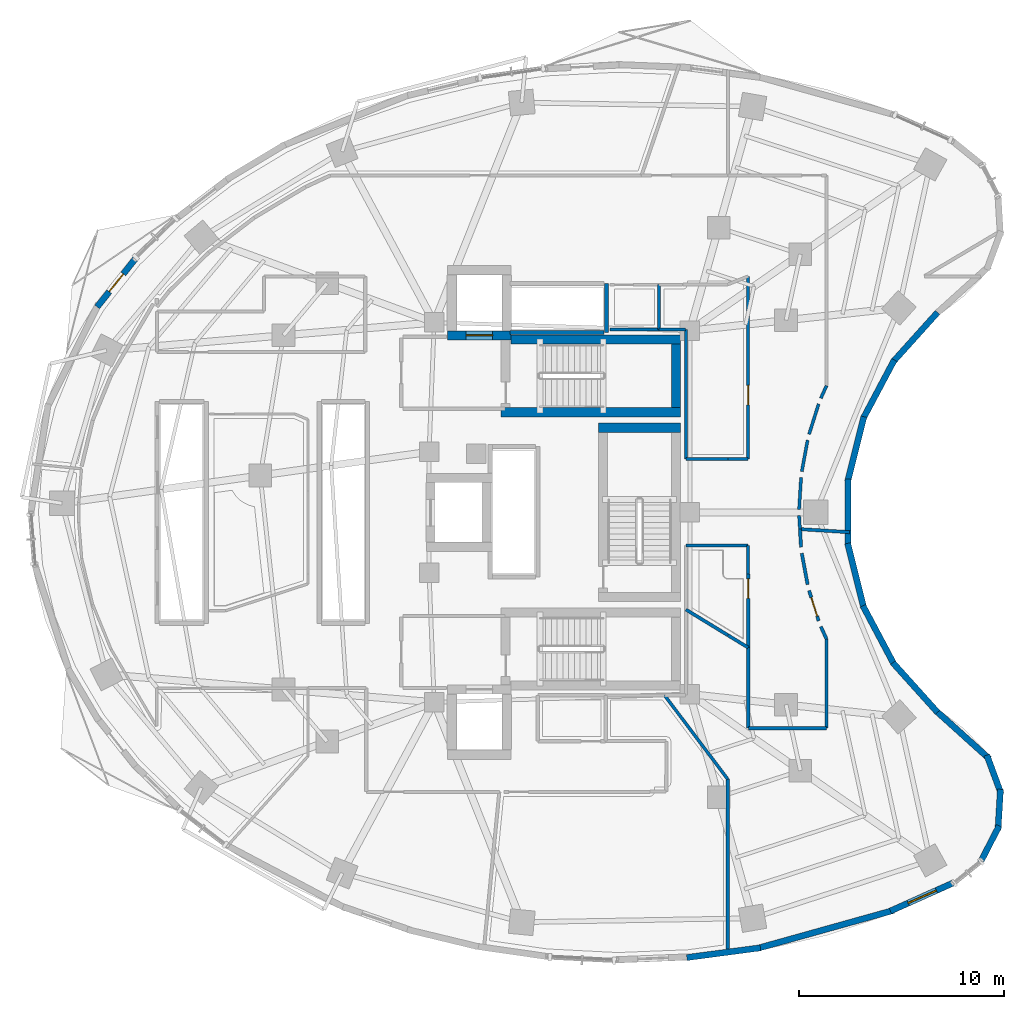
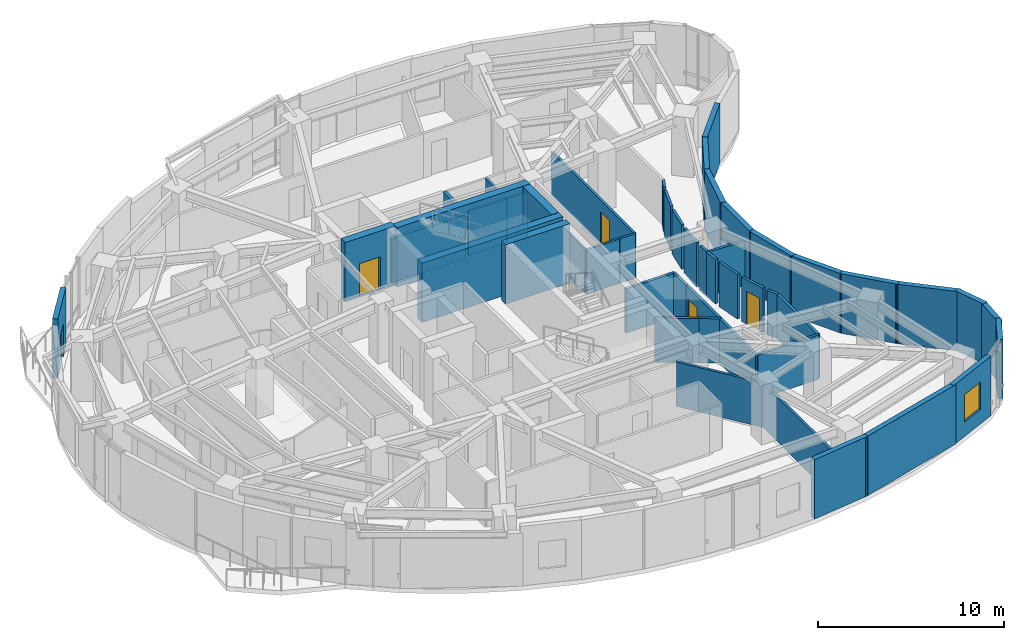
# One storey, part 10 of 15: 49 walls, 5 doors, 1 window, 6 openings.
"""IFC4 building model written with IfcOpenShell, lengths in metres."""

import ifcopenshell
import ifcopenshell.guid

model = None  # the IFC model being written
_history = None  # IfcOwnerHistory: only IFC2X3 demands one
_inside = {}  # id of a spatial element -> (the spatial element, [elements in it])
_under = {}  # id of a project, library or spatial element -> (it, [spatial elements below it])
_declared = {}  # id of a project -> (the project, [libraries it declares])
_typed = {}  # id of a type object -> (the type object, [elements of that type])
_made_of = {}  # id of a material, layer set ... -> (it, [elements and type objects made of it])


def new_model(schema):
    """Start an empty IFC model of exactly this schema.

    Asked for "IFC4X3", IfcOpenShell would pick the latest addendum, in which some entities
    have other attributes; the version numbers below select the first issue.
    IFC2X3 requires an IfcOwnerHistory on every rooted entity: one is made here for all.
    """
    global model, _history
    if schema == "IFC4X3":
        model = ifcopenshell.file(schema_version=(4, 3, 0, 0))
    else:
        model = ifcopenshell.file(schema=schema)
    _inside.clear()
    _under.clear()
    _declared.clear()
    _typed.clear()
    _made_of.clear()
    _history = None
    if model.schema == "IFC2X3":
        org = make("IfcOrganization", Name="unknown")
        user = make(
            "IfcPersonAndOrganization",
            ThePerson=make("IfcPerson", FamilyName="unknown"),
            TheOrganization=org,
        )
        app = make(
            "IfcApplication",
            ApplicationDeveloper=org,
            Version="unknown",
            ApplicationFullName="unknown",
            ApplicationIdentifier="unknown",
        )
        _history = make(
            "IfcOwnerHistory",
            OwningUser=user,
            OwningApplication=app,
            ChangeAction="ADDED",
            CreationDate=0,
        )
    return model


def make(cls, **values):
    """One entity of the class cls with the attributes given. An attribute that is None is left unset."""
    return model.create_entity(
        cls, **{name: value for name, value in values.items() if value is not None}
    )


def rooted(cls, **values):
    """An entity with a GlobalId (a new one), such as an element, a storey or a relation."""
    return make(cls, GlobalId=ifcopenshell.guid.new(), OwnerHistory=_history, **values)


def si_unit(unit_type, name, prefix=None):
    """IfcSIUnit, for example si_unit("LENGTHUNIT", "METRE", prefix="MILLI")."""
    return make("IfcSIUnit", UnitType=unit_type, Prefix=prefix, Name=name)


def assignment(units):
    """IfcUnitAssignment: the units of a project."""
    return None if units is None else make("IfcUnitAssignment", Units=units)


def point(xyz):
    """IfcCartesianPoint."""
    return None if xyz is None else make("IfcCartesianPoint", Coordinates=xyz)


def direction(xyz):
    """IfcDirection."""
    return None if xyz is None else make("IfcDirection", DirectionRatios=xyz)


def frame(location, z_axis=None, x_axis=None):
    """IfcAxis2Placement3D, a coordinate frame: its origin and axes. An axis left out is left unset."""
    return make(
        "IfcAxis2Placement3D",
        Location=point(location),
        Axis=direction(z_axis),
        RefDirection=direction(x_axis),
    )


def frame_2d(location, x_axis=None):
    """IfcAxis2Placement2D, a coordinate frame in the plane: its origin and x axis."""
    return make(
        "IfcAxis2Placement2D", Location=point(location), RefDirection=direction(x_axis)
    )


def origin():
    """The frame at (0, 0, 0) with its axes left unset."""
    return frame((0.0, 0.0, 0.0))


def place(relative_to, where):
    """IfcLocalPlacement: puts the frame where relative to a parent placement (None: the world)."""
    return make(
        "IfcLocalPlacement", PlacementRelTo=relative_to, RelativePlacement=where
    )


def context(
    kind, dimensions, precision=None, world=None, true_north=None, identifier=None
):
    """IfcGeometricRepresentationContext, for example the 3D "Model" context."""
    return make(
        "IfcGeometricRepresentationContext",
        ContextIdentifier=identifier,
        ContextType=kind,
        CoordinateSpaceDimension=dimensions,
        Precision=precision,
        WorldCoordinateSystem=world,
        TrueNorth=true_north,
    )


def subcontext(parent, identifier, kind, view, scale=None):
    """IfcGeometricRepresentationSubContext, for example "Body" below "Model"."""
    return make(
        "IfcGeometricRepresentationSubContext",
        ContextIdentifier=identifier,
        ContextType=kind,
        ParentContext=parent,
        TargetScale=scale,
        TargetView=view,
    )


def project(units=None, contexts=None):
    """IfcProject with its units and contexts."""
    return rooted(
        "IfcProject",
        Name="project",
        RepresentationContexts=contexts,
        UnitsInContext=assignment(units),
    )


def spatial(cls, under=None, at=None, **own):
    """A site, building, storey or space (cls), placed at a placement, below another one or the project."""
    s = rooted(cls, ObjectPlacement=at, **own)
    if under is not None:
        _under.setdefault(under.id(), (under, []))[1].append(s)
    return s


def profile(cls, at=None, kind="AREA", **sizes):
    """A parametric profile (cls). Its sizes go by their IFC names, for example OverallWidth=200.0."""
    return make(cls, ProfileType=kind, Position=at, **sizes)


def rectangle(**sizes):
    """IfcRectangleProfileDef."""
    return profile("IfcRectangleProfileDef", **sizes)


def extrude(swept, where, along, depth):
    """IfcExtrudedAreaSolid: the profile swept, set in the frame where, extruded along a direction by depth."""
    return make(
        "IfcExtrudedAreaSolid",
        SweptArea=swept,
        Position=where,
        ExtrudedDirection=direction(along),
        Depth=depth,
    )


def shape(context_of_items, identifier, shape_type, items):
    """IfcShapeRepresentation: the items that make up one representation, for example the "Body"."""
    return make(
        "IfcShapeRepresentation",
        ContextOfItems=context_of_items,
        RepresentationIdentifier=identifier,
        RepresentationType=shape_type,
        Items=items,
    )


def material(Name=None, Category=None):
    """IfcMaterial."""
    return make("IfcMaterial", Name=Name, Category=Category)


def layer(
    of_material, thickness, ventilated=None, Name=None, Category=None, Priority=None
):
    """IfcMaterialLayer: one layer of a wall or slab, of a material (None: an air gap)."""
    return make(
        "IfcMaterialLayer",
        Material=of_material,
        LayerThickness=thickness,
        IsVentilated=ventilated,
        Name=Name,
        Category=Category,
        Priority=Priority,
    )


def layer_set(layers, Name=None):
    """IfcMaterialLayerSet."""
    return make("IfcMaterialLayerSet", MaterialLayers=layers, LayerSetName=Name)


def made_of(thing, what):
    """Note that an element or type object is made of a material, layer set ...; save() writes the relation."""
    if what is not None:
        _made_of.setdefault(what.id(), (what, []))[1].append(thing)
    return thing


def type_object(cls, material=None, **own):
    """A type object (cls), such as IfcWallType, which elements share."""
    return made_of(rooted(cls, **own), material)


def element(
    cls,
    number,
    at=None,
    inside=None,
    cuts=None,
    type_object=None,
    material=None,
    context=None,
    identifier="Body",
    shape_type=None,
    held_by="IfcProductDefinitionShape",
    body=None,
    shapes=None,
    **own,
):
    """One element of the class cls, such as IfcWall. Its Tag is "e" and its number.

    at: its placement. inside: the storey or other place that contains it. cuts: it is an
    opening in that element (IfcRelVoidsElement). A single representation is given by context,
    identifier, shape_type and body (its items); several are given by shapes. held_by: the class
    of the entity that holds the representations. save() writes the other relations.
    """
    e = rooted(cls, Tag="e%d" % number, ObjectPlacement=at, **own)
    if body is not None:
        shapes = [shape(context, identifier, shape_type, body)]
    if shapes is not None:
        e.Representation = make(held_by, Representations=shapes)
    if inside is not None:
        _inside.setdefault(inside.id(), (inside, []))[1].append(e)
    if cuts is not None:
        rooted(
            "IfcRelVoidsElement", RelatingBuildingElement=cuts, RelatedOpeningElement=e
        )
    if type_object is not None:
        _typed.setdefault(type_object.id(), (type_object, []))[1].append(e)
    return made_of(e, material)


def fill(opening, filler):
    """IfcRelFillsElement: the door or window that sits in an opening."""
    return rooted(
        "IfcRelFillsElement",
        RelatingOpeningElement=opening,
        RelatedBuildingElement=filler,
    )


def aggregate(whole, parts):
    """IfcRelAggregates: a whole, such as a stair, and the parts it consists of."""
    return rooted("IfcRelAggregates", RelatingObject=whole, RelatedObjects=parts)


def save(model, path):
    """Write the relations noted so far, then the file.

    IfcRelAggregates (storeys below a building ...), IfcRelContainedInSpatialStructure (elements
    in a storey), IfcRelDefinesByType, IfcRelAssociatesMaterial and IfcRelDeclares: one each for
    every whole, place, type object, material and project.
    """
    for whole, parts in _under.values():
        aggregate(whole, parts)
    for where, things in _inside.values():
        rooted(
            "IfcRelContainedInSpatialStructure",
            RelatedElements=things,
            RelatingStructure=where,
        )
    for kind, things in _typed.values():
        rooted("IfcRelDefinesByType", RelatedObjects=things, RelatingType=kind)
    for what, things in _made_of.values():
        rooted("IfcRelAssociatesMaterial", RelatedObjects=things, RelatingMaterial=what)
    for by, libraries in _declared.values():
        rooted("IfcRelDeclares", RelatingContext=by, RelatedDefinitions=libraries)
    model.write(path)


model = new_model("IFC4")

# Units and contexts
model_context = context("Model", 3, precision=1e-05, world=origin(), true_north=direction((0.0, 1.0)))
body_context = subcontext(model_context, "Body", "Model", "MODEL_VIEW")
ifc_project = project(units=[si_unit("LENGTHUNIT", "METRE"), si_unit("AREAUNIT", "SQUARE_METRE"), si_unit("VOLUMEUNIT", "CUBIC_METRE"), si_unit("PLANEANGLEUNIT", "RADIAN"), si_unit("MASSUNIT", "GRAM", prefix="KILO")], contexts=[model_context])

# Site, building, storey
site_placement = place(None, origin())
site = spatial("IfcSite", under=ifc_project, at=site_placement, CompositionType="ELEMENT")
building_placement = place(site_placement, origin())
building = spatial("IfcBuilding", under=site, at=building_placement, Name="Korentha Bioscience Tower", CompositionType="ELEMENT")
storey_placement = place(building_placement, frame((0.0, 0.0, 98.39990234375)))
storey = spatial("IfcBuildingStorey", under=building, at=storey_placement, Name="L22", CompositionType="ELEMENT", Elevation=98.39990234375)

# Walls
ifc_material_1 = material(Name="Double-Stud Acoustic Gypsum", Category="gypsum")
ifc_layer_1 = layer(ifc_material_1, 0.14990234375, Name="Double-Stud Acoustic Gypsum")
ifc_layer_set_1 = layer_set([ifc_layer_1], Name="Double-Stud Acoustic Gypsum (IW-L150)")
wall_type_1 = type_object("IfcWallType", Name="Acoustic Laboratory Partition Wall 150", PredefinedType="PARTITIONING", material=ifc_layer_set_1)
wall_1_placement = place(storey_placement, frame((36.3193359375, 18.090087890625, 0.0), z_axis=(0.0, 0.0, 1.0), x_axis=(0.601792892962, -0.798652185861, 0.0)))
element("IfcWall", 1, at=wall_1_placement, inside=storey, type_object=wall_type_1, Name="L22 Interior Partition 037", PredefinedType="PARTITIONING", context=body_context, shape_type="SweptSolid", body=[
    extrude(rectangle(XDim=5.11572265625, YDim=0.14990234375, at=frame_2d((2.557861328125, 0.0))), origin(), (0.0, 0.0, 1.0), 2.91015625),
])
wall_2_placement = place(storey_placement, frame((39.39794921875, 14.00439453125, 0.0), z_axis=(0.0, 0.0, 1.0), x_axis=(0.0, -1.0, 0.0)))
element("IfcWall", 2, at=wall_2_placement, inside=storey, type_object=wall_type_1, Name="L22 Interior Partition 038", PredefinedType="PARTITIONING", context=body_context, shape_type="SweptSolid", body=[
    extrude(rectangle(XDim=8.540283203125, YDim=0.14990234375, at=frame_2d((4.27001953125, 0.0))), origin(), (0.0, 0.0, 1.0), 2.91015625),
])
wall_3_placement = place(storey_placement, frame((42.912841796875, 26.194091796875, 0.0), z_axis=(0.0, 0.0, 1.0), x_axis=(-0.061177910387, 0.998126877346, 0.0)))
element("IfcWall", 3, at=wall_3_placement, inside=storey, type_object=wall_type_1, Name="L22 Interior Partition 056", PredefinedType="PARTITIONING", context=body_context, shape_type="SweptSolid", body=[
    extrude(rectangle(XDim=0.658447265625, YDim=0.14990234375, at=frame_2d((0.3291015625, 0.0))), origin(), (0.0, 0.0, 1.0), 2.91015625),
])
wall_4_placement = place(storey_placement, frame((42.87255859375, 27.148681640625, 0.0), z_axis=(0.0, 0.0, 1.0), x_axis=(0.061103659378, 0.99813142562, 0.0)))
element("IfcWall", 4, at=wall_4_placement, inside=storey, type_object=wall_type_1, Name="L22 Interior Partition 057", PredefinedType="PARTITIONING", context=body_context, shape_type="SweptSolid", body=[
    extrude(rectangle(XDim=1.55029296875, YDim=0.14990234375, at=frame_2d((0.775146484375, 0.0))), origin(), (0.0, 0.0, 1.0), 2.91015625),
])
wall_5_placement = place(storey_placement, frame((43.00341796875, 28.99072265625, 0.0), z_axis=(0.0, 0.0, 1.0), x_axis=(0.182168192784, 0.983267384559, 0.0)))
element("IfcWall", 5, at=wall_5_placement, inside=storey, type_object=wall_type_1, Name="L22 Interior Partition 058", PredefinedType="PARTITIONING", context=body_context, shape_type="SweptSolid", body=[
    extrude(rectangle(XDim=1.550537109375, YDim=0.14990234375, at=frame_2d((0.775390625, 0.0))), origin(), (0.0, 0.0, 1.0), 2.91015625),
])
wall_6_placement = place(storey_placement, frame((43.35791015625, 30.803466796875, 0.0), z_axis=(0.0, 0.0, 1.0), x_axis=(0.300641414783, 0.953737248783, 0.0)))
element("IfcWall", 6, at=wall_6_placement, inside=storey, type_object=wall_type_1, Name="L22 Interior Partition 059", PredefinedType="PARTITIONING", context=body_context, shape_type="SweptSolid", body=[
    extrude(rectangle(XDim=1.55029296875, YDim=0.14990234375, at=frame_2d((0.775146484375, 0.0))), origin(), (0.0, 0.0, 1.0), 2.91015625),
])
wall_7_placement = place(storey_placement, frame((43.930419921875, 32.55908203125, 0.0), z_axis=(0.0, 0.0, 1.0), x_axis=(0.414377467152, 0.910105111905, 0.0)))
element("IfcWall", 7, at=wall_7_placement, inside=storey, type_object=wall_type_1, Name="L22 Interior Partition 060", PredefinedType="PARTITIONING", context=body_context, shape_type="SweptSolid", body=[
    extrude(rectangle(XDim=0.67236328125, YDim=0.14990234375, at=frame_2d((0.336181640625, 0.0))), origin(), (0.0, 0.0, 1.0), 2.91015625),
])

# Wall, opening, door
ifc_material_2 = material(Name="Insulated Aluminium Honeycomb Panel", Category="aluminium")
ifc_layer_2 = layer(ifc_material_2, 0.139892578125, Name="Insulated Aluminium Honeycomb Panel")
ifc_layer_set_2 = layer_set([ifc_layer_2], Name="Insulated Aluminium Honeycomb Panel (IW-F60)")
wall_type_2 = type_object("IfcWallType", Name="Cleanroom Flush Metal Panel Partition 140", PredefinedType="PARTITIONING", material=ifc_layer_set_2)
wall_8_placement = place(storey_placement, frame((40.389892578125, 38.498046875, 0.0), z_axis=(0.0, 0.0, 1.0), x_axis=(0.0, -1.0, 0.0)))
wall_8 = element("IfcWall", 8, at=wall_8_placement, inside=storey, type_object=wall_type_2, Name="L22 Vaccine Formulation Cleanroom 07 Entrance Wall", PredefinedType="PARTITIONING", context=body_context, shape_type="SweptSolid", body=[
    extrude(rectangle(XDim=8.89599609375, YDim=0.139892578125, at=frame_2d((4.447998046875, 0.0))), origin(), (0.0, 0.0, 1.0), 2.91015625),
])
opening_1_placement = place(wall_8_placement, frame((5.3125, 0.0, 0.0)))
opening_1 = element("IfcOpeningElement", 9, at=opening_1_placement, cuts=wall_8, Name="Opening ID-10L", PredefinedType="OPENING", context=body_context, shape_type="SweptSolid", body=[
    extrude(rectangle(XDim=0.949951171875, YDim=2.14990234375, at=frame_2d((0.47509765625, 1.074951171875))), frame((0.0, 0.0849609375, 0.0), z_axis=(0.0, -1.0, 0.0), x_axis=(1.0, 0.0, 0.0)), (0.0, 0.0, 1.0), 0.169677734375),
])
ifc_material_3 = material(Name="Phenolic Laminate Timber Core", Category="wood")
door_type_1 = type_object("IfcDoorType", Name="Laboratory Single Leaf Door 950x2150 Left", OperationType="SINGLE_SWING_LEFT", PredefinedType="DOOR", material=ifc_material_3)
door_1_placement = place(opening_1_placement, origin())
door_1 = element("IfcDoor", 10, at=door_1_placement, inside=storey, type_object=door_type_1, Name="L22 Vaccine Formulation Cleanroom 07 Door", OperationType="SINGLE_SWING_LEFT", OverallHeight=2.14990234375, OverallWidth=0.949951171875, PredefinedType="DOOR", context=body_context, shape_type="SweptSolid", body=[
    extrude(rectangle(XDim=0.949951171875, YDim=2.14990234375, at=frame_2d((0.47509765625, 1.074951171875))), frame((0.0, 0.02490234375, 0.0), z_axis=(0.0, -1.0, 0.0), x_axis=(1.0, 0.0, 0.0)), (0.0, 0.0, 1.0), 0.050048828125),
])
fill(opening_1, door_1)

# Walls
wall_9_placement = place(storey_placement, frame((40.389892578125, 29.60205078125, 0.0), z_axis=(0.0, 0.0, 1.0), x_axis=(-1.0, 0.0, 0.0)))
element("IfcWall", 11, at=wall_9_placement, inside=storey, type_object=wall_type_2, Name="L22 Interior Partition 064", PredefinedType="PARTITIONING", context=body_context, shape_type="SweptSolid", body=[
    extrude(rectangle(XDim=0.98779296875, YDim=0.139892578125, at=frame_2d((0.493896484375, 0.0))), origin(), (0.0, 0.0, 1.0), 2.91015625),
])
wall_10_placement = place(storey_placement, frame((39.39794921875, 29.60205078125, 0.0), z_axis=(0.0, 0.0, 1.0), x_axis=(-1.0, 0.0, 0.0)))
element("IfcWall", 12, at=wall_10_placement, inside=storey, type_object=wall_type_2, Name="L22 Interior Partition 065", PredefinedType="PARTITIONING", context=body_context, shape_type="SweptSolid", body=[
    extrude(rectangle(XDim=2.037841796875, YDim=0.139892578125, at=frame_2d((1.01904296875, 0.0))), origin(), (0.0, 0.0, 1.0), 2.91015625),
])
wall_11_placement = place(storey_placement, frame((37.360107421875, 29.60205078125, 0.0), z_axis=(0.0, 0.0, 1.0), x_axis=(0.0, 1.0, 0.0)))
element("IfcWall", 13, at=wall_11_placement, inside=storey, type_object=wall_type_2, Name="L22 Interior Partition 066", PredefinedType="PARTITIONING", context=body_context, shape_type="SweptSolid", body=[
    extrude(rectangle(XDim=6.2978515625, YDim=0.139892578125, at=frame_2d((3.14892578125, 0.0))), origin(), (0.0, 0.0, 1.0), 2.91015625),
])
wall_12_placement = place(storey_placement, frame((37.35009765625, 35.909912109375, 0.0), z_axis=(0.0, 0.0, 1.0), x_axis=(-1.0, 0.0, 0.0)))
element("IfcWall", 14, at=wall_12_placement, inside=storey, type_object=wall_type_2, Name="L22 Interior Partition 067", PredefinedType="PARTITIONING", context=body_context, shape_type="SweptSolid", body=[
    extrude(rectangle(XDim=1.2900390625, YDim=0.139892578125, at=frame_2d((0.64501953125, 0.0))), origin(), (0.0, 0.0, 1.0), 2.91015625),
])

# Wall, opening, door
ifc_material_4 = material(Name="Gypsum-Clad Steel Stud", Category="steel")
ifc_layer_3 = layer(ifc_material_4, 0.159912109375, Name="Gypsum-Clad Steel Stud")
ifc_layer_set_3 = layer_set([ifc_layer_3], Name="Gypsum-Clad Steel Stud (IW-C160)")
wall_type_3 = type_object("IfcWallType", Name="Fire-Rated Corridor Partition Wall 160", PredefinedType="PARTITIONING", material=ifc_layer_set_3)
wall_13_placement = place(storey_placement, frame((43.823974609375, 21.718017578125, 0.0), z_axis=(0.0, 0.0, 1.0), x_axis=(-0.300641414783, 0.953737248783, 0.0)))
wall_13 = element("IfcWall", 15, at=wall_13_placement, inside=storey, type_object=wall_type_3, Name="L22 Biospecimen Archive Store 04 Entrance Wall", PredefinedType="PARTITIONING", context=body_context, shape_type="SweptSolid", body=[
    extrude(rectangle(XDim=1.55029296875, YDim=0.159912109375, at=frame_2d((0.775146484375, 0.0))), origin(), (0.0, 0.0, 1.0), 2.91015625),
])
opening_2_placement = place(wall_13_placement, frame((0.239990234375, 0.0, 0.0)))
opening_2 = element("IfcOpeningElement", 16, at=opening_2_placement, cuts=wall_13, Name="Opening ID-10R", PredefinedType="OPENING", context=body_context, shape_type="SweptSolid", body=[
    extrude(rectangle(XDim=0.949951171875, YDim=2.14990234375, at=frame_2d((0.47509765625, 1.074951171875))), frame((0.0, 0.0947265625, 0.0), z_axis=(0.0, -1.0, 0.0), x_axis=(1.0, 0.0, 0.0)), (0.0, 0.0, 1.0), 0.189697265625),
])
door_type_2 = type_object("IfcDoorType", Name="Laboratory Single Leaf Door 950x2150 Right", OperationType="SINGLE_SWING_RIGHT", PredefinedType="DOOR", material=ifc_material_3)
door_2_placement = place(opening_2_placement, origin())
door_2 = element("IfcDoor", 17, at=door_2_placement, inside=storey, type_object=door_type_2, Name="L22 Biospecimen Archive Store 04 Door", OperationType="SINGLE_SWING_RIGHT", OverallHeight=2.14990234375, OverallWidth=0.949951171875, PredefinedType="DOOR", context=body_context, shape_type="SweptSolid", body=[
    extrude(rectangle(XDim=0.949951171875, YDim=2.14990234375, at=frame_2d((0.47509765625, 1.074951171875))), frame((0.0, 0.02490234375, 0.0), z_axis=(0.0, -1.0, 0.0), x_axis=(1.0, 0.0, 0.0)), (0.0, 0.0, 1.0), 0.050048828125),
])
fill(opening_2, door_2)

wall_14_placement = place(storey_placement, frame((40.389892578125, 23.998046875, 0.0), z_axis=(0.0, 0.0, 1.0), x_axis=(0.0, -1.0, 0.0)))
wall_14 = element("IfcWall", 18, at=wall_14_placement, inside=storey, type_object=wall_type_3, Name="L22 Reference Archive Vault 05 Entrance Wall", PredefinedType="PARTITIONING", context=body_context, shape_type="SweptSolid", body=[
    extrude(rectangle(XDim=3.5703125, YDim=0.159912109375, at=frame_2d((1.78515625, 0.0))), origin(), (0.0, 0.0, 1.0), 2.91015625),
])
opening_3_placement = place(wall_14_placement, frame((0.239990234375, 0.0, 0.0)))
opening_3 = element("IfcOpeningElement", 19, at=opening_3_placement, cuts=wall_14, Name="Opening ID-10L", PredefinedType="OPENING", context=body_context, shape_type="SweptSolid", body=[
    extrude(rectangle(XDim=0.949951171875, YDim=2.14990234375, at=frame_2d((0.47509765625, 1.074951171875))), frame((0.0, 0.0947265625, 0.0), z_axis=(0.0, -1.0, 0.0), x_axis=(1.0, 0.0, 0.0)), (0.0, 0.0, 1.0), 0.189697265625),
])
door_3_placement = place(opening_3_placement, origin())
door_3 = element("IfcDoor", 20, at=door_3_placement, inside=storey, type_object=door_type_1, Name="L22 Reference Archive Vault 05 Door", OperationType="SINGLE_SWING_LEFT", OverallHeight=2.14990234375, OverallWidth=0.949951171875, PredefinedType="DOOR", context=body_context, shape_type="SweptSolid", body=[
    extrude(rectangle(XDim=0.949951171875, YDim=2.14990234375, at=frame_2d((0.47509765625, 1.074951171875))), frame((0.0, 0.02490234375, 0.0), z_axis=(0.0, -1.0, 0.0), x_axis=(1.0, 0.0, 0.0)), (0.0, 0.0, 1.0), 0.050048828125),
])
fill(opening_3, door_3)

# Walls
wall_15_placement = place(storey_placement, frame((39.402099609375, 21.01904296875, 0.0), z_axis=(0.0, 0.0, 1.0), x_axis=(0.853521615148, -0.52105743683, 0.0)))
element("IfcWall", 21, at=wall_15_placement, inside=storey, type_object=wall_type_3, Name="L22 Interior Partition 039", PredefinedType="PARTITIONING", context=body_context, shape_type="SweptSolid", body=[
    extrude(rectangle(XDim=1.1572265625, YDim=0.159912109375, at=frame_2d((0.57861328125, 0.0))), origin(), (0.0, 0.0, 1.0), 2.91015625),
])
wall_16_placement = place(storey_placement, frame((40.389892578125, 20.416015625, 0.0), z_axis=(0.0, 0.0, 1.0), x_axis=(0.0, -1.0, 0.0)))
element("IfcWall", 22, at=wall_16_placement, inside=storey, type_object=wall_type_3, Name="L22 Interior Partition 040", PredefinedType="PARTITIONING", context=body_context, shape_type="SweptSolid", body=[
    extrude(rectangle(XDim=3.916015625, YDim=0.159912109375, at=frame_2d((1.9580078125, 0.0))), origin(), (0.0, 0.0, 1.0), 2.91015625),
])
wall_17_placement = place(storey_placement, frame((40.39990234375, 16.489990234375, 0.0), z_axis=(0.0, 0.0, 1.0), x_axis=(1.0, 0.0, 0.0)))
element("IfcWall", 23, at=wall_17_placement, inside=storey, type_object=wall_type_3, Name="L22 Interior Partition 041", PredefinedType="PARTITIONING", context=body_context, shape_type="SweptSolid", body=[
    extrude(rectangle(XDim=3.800048828125, YDim=0.159912109375, at=frame_2d((1.89990234375, 0.0))), origin(), (0.0, 0.0, 1.0), 2.91015625),
])
wall_18_placement = place(storey_placement, frame((44.2099609375, 16.5, 0.0), z_axis=(0.0, 0.0, 1.0), x_axis=(0.0, 1.0, 0.0)))
element("IfcWall", 24, at=wall_18_placement, inside=storey, type_object=wall_type_3, Name="L22 Interior Partition 042", PredefinedType="PARTITIONING", context=body_context, shape_type="SweptSolid", body=[
    extrude(rectangle(XDim=4.324951171875, YDim=0.159912109375, at=frame_2d((2.16259765625, 0.0))), origin(), (0.0, 0.0, 1.0), 2.91015625),
])
wall_19_placement = place(storey_placement, frame((44.208984375, 20.8291015625, 0.0), z_axis=(0.0, 0.0, 1.0), x_axis=(-0.414377467152, 0.910105111905, 0.0)))
element("IfcWall", 25, at=wall_19_placement, inside=storey, type_object=wall_type_3, Name="L22 Interior Partition 043", PredefinedType="PARTITIONING", context=body_context, shape_type="SweptSolid", body=[
    extrude(rectangle(XDim=0.67236328125, YDim=0.159912109375, at=frame_2d((0.336181640625, 0.0))), origin(), (0.0, 0.0, 1.0), 2.91015625),
])
wall_20_placement = place(storey_placement, frame((43.285888671875, 23.484619140625, 0.0), z_axis=(0.0, 0.0, 1.0), x_axis=(-0.182168192784, 0.983267384559, 0.0)))
element("IfcWall", 26, at=wall_20_placement, inside=storey, type_object=wall_type_3, Name="L22 Interior Partition 044", PredefinedType="PARTITIONING", context=body_context, shape_type="SweptSolid", body=[
    extrude(rectangle(XDim=1.550537109375, YDim=0.159912109375, at=frame_2d((0.775390625, 0.0))), origin(), (0.0, 0.0, 1.0), 2.91015625),
])
wall_21_placement = place(storey_placement, frame((42.96728515625, 25.303955078125, 0.0), z_axis=(0.0, 0.0, 1.0), x_axis=(-0.061188874166, 0.998126205286, 0.0)))
element("IfcWall", 27, at=wall_21_placement, inside=storey, type_object=wall_type_3, Name="L22 Interior Partition 045", PredefinedType="PARTITIONING", context=body_context, shape_type="SweptSolid", body=[
    extrude(rectangle(XDim=0.8818359375, YDim=0.159912109375, at=frame_2d((0.44091796875, 0.0))), origin(), (0.0, 0.0, 1.0), 2.91015625),
])
wall_22_placement = place(storey_placement, frame((42.913330078125, 26.18408203125, 0.0), z_axis=(0.0, 0.0, 1.0), x_axis=(0.998138916893, -0.060981165807, 0.0)))
element("IfcWall", 28, at=wall_22_placement, inside=storey, type_object=wall_type_3, Name="L22 Interior Partition 046", PredefinedType="PARTITIONING", context=body_context, shape_type="SweptSolid", body=[
    extrude(rectangle(XDim=2.426025390625, YDim=0.159912109375, at=frame_2d((1.212890625, 0.0))), origin(), (0.0, 0.0, 1.0), 2.91015625),
])
wall_23_placement = place(storey_placement, frame((37.360107421875, 22.265625, 0.0), z_axis=(0.0, 0.0, 1.0), x_axis=(0.85352442543, -0.521052833401, 0.0)))
element("IfcWall", 29, at=wall_23_placement, inside=storey, type_object=wall_type_3, Name="L22 Interior Partition 049", PredefinedType="PARTITIONING", context=body_context, shape_type="SweptSolid", body=[
    extrude(rectangle(XDim=2.38720703125, YDim=0.159912109375, at=frame_2d((1.193603515625, 0.0))), origin(), (0.0, 0.0, 1.0), 2.91015625),
])
wall_24_placement = place(storey_placement, frame((37.360107421875, 25.389892578125, 0.0), z_axis=(0.0, 0.0, 1.0), x_axis=(1.0, 0.0, 0.0)))
element("IfcWall", 30, at=wall_24_placement, inside=storey, type_object=wall_type_3, Name="L22 Interior Partition 052", PredefinedType="PARTITIONING", context=body_context, shape_type="SweptSolid", body=[
    extrude(rectangle(XDim=3.02587890625, YDim=0.159912109375, at=frame_2d((1.512939453125, 0.0))), origin(), (0.0, 0.0, 1.0), 2.91015625),
])
wall_25_placement = place(storey_placement, frame((40.385986328125, 25.389892578125, 0.0), z_axis=(0.0, 0.0, 1.0), x_axis=(0.0, -1.0, 0.0)))
element("IfcWall", 31, at=wall_25_placement, inside=storey, type_object=wall_type_3, Name="L22 Interior Partition 053", PredefinedType="PARTITIONING", context=body_context, shape_type="SweptSolid", body=[
    extrude(rectangle(XDim=1.3876953125, YDim=0.159912109375, at=frame_2d((0.69384765625, 0.0))), origin(), (0.0, 0.0, 1.0), 2.91015625),
])

# Wall, opening, door
ifc_material_5 = material(Name="Honed Limestone Precast Concrete C40", Category="masonry")
ifc_layer_4 = layer(ifc_material_5, 0.300048828125, Name="Honed Limestone Precast Concrete C40")
ifc_layer_set_4 = layer_set([ifc_layer_4], Name="Honed Limestone Precast Concrete C40 (EW-ST300)")
wall_type_4 = type_object("IfcWallType", Name="Honed Limestone Cavity Spandrel Wall 300", PredefinedType="STANDARD", material=ifc_layer_set_4)
wall_26_placement = place(storey_placement, frame((10.55029296875, 39.361572265625, 0.0), z_axis=(0.0, 0.0, 1.0), x_axis=(-0.620971431761, -0.783833197139, 0.0)))
wall_26 = element("IfcWall", 32, at=wall_26_placement, inside=storey, type_object=wall_type_4, Name="L22 Balcony Threshold Wall 02", PredefinedType="STANDARD", context=body_context, shape_type="SweptSolid", body=[
    extrude(rectangle(XDim=3.004150390625, YDim=0.300048828125, at=frame_2d((1.501953125, 0.0))), origin(), (0.0, 0.0, 1.0), 3.900146484375),
])
opening_4_placement = place(wall_26_placement, frame((0.951904296875, 0.0, 0.0)))
opening_4 = element("IfcOpeningElement", 33, at=opening_4_placement, cuts=wall_26, Name="Opening BD-11R", PredefinedType="OPENING", context=body_context, shape_type="SweptSolid", body=[
    extrude(rectangle(XDim=1.10009765625, YDim=2.14990234375, at=frame_2d((0.550048828125, 1.074951171875))), frame((0.0, 0.1650390625, 0.0), z_axis=(0.0, -1.0, 0.0), x_axis=(1.0, 0.0, 0.0)), (0.0, 0.0, 1.0), 0.329833984375),
])
ifc_material_6 = material(Name="Thermally Broken Glazed Aluminium", Category="aluminium")
door_type_3 = type_object("IfcDoorType", Name="Balcony Terrace Glazed Door 1100x2150 Right", OperationType="SINGLE_SWING_RIGHT", PredefinedType="DOOR", material=ifc_material_6)
door_4_placement = place(opening_4_placement, origin())
door_4 = element("IfcDoor", 34, at=door_4_placement, inside=storey, type_object=door_type_3, Name="L22 Balcony Access Door 02", OperationType="SINGLE_SWING_RIGHT", OverallHeight=2.14990234375, OverallWidth=1.10009765625, PredefinedType="DOOR", context=body_context, shape_type="SweptSolid", body=[
    extrude(rectangle(XDim=1.10009765625, YDim=2.14990234375, at=frame_2d((0.550048828125, 1.074951171875))), frame((0.0, 0.02490234375, 0.0), z_axis=(0.0, -1.0, 0.0), x_axis=(1.0, 0.0, 0.0)), (0.0, 0.0, 1.0), 0.050048828125),
])
fill(opening_4, door_4)

# Wall, opening, window
wall_27_placement = place(storey_placement, frame((47.3193359375, 7.5849609375, 0.0), z_axis=(0.0, 0.0, 1.0), x_axis=(0.912680179498, 0.40867455261, 0.0)))
wall_27 = element("IfcWall", 35, at=wall_27_placement, inside=storey, type_object=wall_type_4, Name="L22 Honed Limestone Spandrel Wall 36", PredefinedType="STANDARD", context=body_context, shape_type="SweptSolid", body=[
    extrude(rectangle(XDim=3.40087890625, YDim=0.300048828125, at=frame_2d((1.700439453125, 0.0))), origin(), (0.0, 0.0, 1.0), 3.900146484375),
])
opening_5_placement = place(wall_27_placement, frame((0.950439453125, 0.0, 0.949951171875)))
opening_5 = element("IfcOpeningElement", 36, at=opening_5_placement, cuts=wall_27, Name="Opening WN-02", PredefinedType="OPENING", context=body_context, shape_type="SweptSolid", body=[
    extrude(rectangle(XDim=1.5, YDim=1.800048828125, at=frame_2d((0.75, 0.89990234375))), frame((0.0, 0.1650390625, 0.0), z_axis=(0.0, -1.0, 0.0), x_axis=(1.0, 0.0, 0.0)), (0.0, 0.0, 1.0), 0.329833984375),
])
ifc_material_7 = material(Name="Thermally Broken Aluminium Triple Glazing", Category="aluminium")
window_type = type_object("IfcWindowType", Name="Acoustic Operable Office Window 1500x1800", PartitioningType="DOUBLE_PANEL_VERTICAL", PredefinedType="WINDOW", material=ifc_material_7)
window_placement = place(opening_5_placement, origin())
window = element("IfcWindow", 37, at=window_placement, inside=storey, type_object=window_type, Name="L22 Facade Window 36", OverallHeight=1.800048828125, OverallWidth=1.5, PartitioningType="DOUBLE_PANEL_VERTICAL", PredefinedType="WINDOW", context=body_context, shape_type="SweptSolid", body=[
    extrude(rectangle(XDim=1.5, YDim=1.800048828125, at=frame_2d((0.75, 0.89990234375))), frame((0.0, 0.030029296875, 0.0), z_axis=(0.0, -1.0, 0.0), x_axis=(1.0, 0.0, 0.0)), (0.0, 0.0, 1.0), 0.06005859375),
])
fill(opening_5, window)

# Walls
wall_28_placement = place(storey_placement, frame((37.40234375, 5.319091796875, 0.0), z_axis=(0.0, 0.0, 1.0), x_axis=(0.991372969521, 0.131071107816, 0.0)))
element("IfcWall", 38, at=wall_28_placement, inside=storey, type_object=wall_type_4, Name="L22 Limestone Perimeter Closure Wall 33", PredefinedType="STANDARD", context=body_context, shape_type="SweptSolid", body=[
    extrude(rectangle(XDim=3.615478515625, YDim=0.300048828125, at=frame_2d((1.8076171875, 0.0))), origin(), (0.0, 0.0, 1.0), 3.900146484375),
])
wall_29_placement = place(storey_placement, frame((40.810791015625, 5.7568359375, 0.0), z_axis=(0.0, 0.0, 1.0), x_axis=(0.963116215402, 0.269085777459, 0.0)))
element("IfcWall", 39, at=wall_29_placement, inside=storey, type_object=wall_type_4, Name="L22 Limestone Perimeter Closure Wall 34", PredefinedType="STANDARD", context=body_context, shape_type="SweptSolid", body=[
    extrude(rectangle(XDim=6.923583984375, YDim=0.300048828125, at=frame_2d((3.4619140625, 0.0))), origin(), (0.0, 0.0, 1.0), 3.900146484375),
])
for number, where, z_axis, x_axis, name in (
    (40, (51.701171875, 9.953125, 0.0), (0.0, 0.0, 1.0), (0.457596540329, 0.889159944149, 0.0), "L22 Limestone Perimeter Closure Wall 38"),
    (41, (52.55859375, 11.522705078125, 0.0), (0.0, 0.0, 1.0), (0.060255200356, 0.998183004679, 0.0), "L22 Limestone Perimeter Closure Wall 39"),
):
    element("IfcWall", number, at=place(storey_placement, frame(where, z_axis=z_axis, x_axis=x_axis)), inside=storey, type_object=wall_type_4, Name=name, PredefinedType="STANDARD", context=body_context, shape_type="SweptSolid", body=[
        extrude(rectangle(XDim=1.99755859375, YDim=0.300048828125, at=frame_2d((0.998779296875, 0.0))), origin(), (0.0, 0.0, 1.0), 3.900146484375),
    ])
wall_30_placement = place(storey_placement, frame((52.710205078125, 13.3046875, 0.0), z_axis=(0.0, 0.0, 1.0), x_axis=(-0.347370087337, 0.937728117539, 0.0)))
element("IfcWall", 42, at=wall_30_placement, inside=storey, type_object=wall_type_4, Name="L22 Limestone Perimeter Closure Wall 40", PredefinedType="STANDARD", context=body_context, shape_type="SweptSolid", body=[
    extrude(rectangle(XDim=1.997314453125, YDim=0.300048828125, at=frame_2d((0.99853515625, 0.0))), origin(), (0.0, 0.0, 1.0), 3.900146484375),
])
wall_31_placement = place(storey_placement, frame((52.14111328125, 14.993896484375, 0.0), z_axis=(0.0, 0.0, 1.0), x_axis=(-0.74255963233, 0.669779958221, 0.0)))
element("IfcWall", 43, at=wall_31_placement, inside=storey, type_object=wall_type_4, Name="L22 Limestone Perimeter Closure Wall 41", PredefinedType="STANDARD", context=body_context, shape_type="SweptSolid", body=[
    extrude(rectangle(XDim=3.5390625, YDim=0.300048828125, at=frame_2d((1.76953125, 0.0))), origin(), (0.0, 0.0, 1.0), 3.900146484375),
])
wall_32_placement = place(storey_placement, frame((49.61572265625, 17.26171875, 0.0), z_axis=(0.0, 0.0, 1.0), x_axis=(-0.669167727967, 0.743111399353, 0.0)))
element("IfcWall", 44, at=wall_32_placement, inside=storey, type_object=wall_type_4, Name="L22 Limestone Perimeter Closure Wall 43", PredefinedType="STANDARD", context=body_context, shape_type="SweptSolid", body=[
    extrude(rectangle(XDim=3.25537109375, YDim=0.300048828125, at=frame_2d((1.627685546875, 0.0))), origin(), (0.0, 0.0, 1.0), 3.900146484375),
])
wall_33_placement = place(storey_placement, frame((47.5087890625, 19.578857421875, 0.0), z_axis=(0.0, 0.0, 1.0), x_axis=(-0.469451284634, 0.882958374645, 0.0)))
element("IfcWall", 45, at=wall_33_placement, inside=storey, type_object=wall_type_4, Name="L22 Limestone Perimeter Closure Wall 45", PredefinedType="STANDARD", context=body_context, shape_type="SweptSolid", body=[
    extrude(rectangle(XDim=3.255615234375, YDim=0.300048828125, at=frame_2d((1.6279296875, 0.0))), origin(), (0.0, 0.0, 1.0), 3.900146484375),
])
wall_34_placement = place(storey_placement, frame((46.025146484375, 22.3369140625, 0.0), z_axis=(0.0, 0.0, 1.0), x_axis=(-0.241900409149, 0.970301083197, 0.0)))
element("IfcWall", 46, at=wall_34_placement, inside=storey, type_object=wall_type_4, Name="L22 Limestone Perimeter Closure Wall 47", PredefinedType="STANDARD", context=body_context, shape_type="SweptSolid", body=[
    extrude(rectangle(XDim=3.255859375, YDim=0.300048828125, at=frame_2d((1.6279296875, 0.0))), origin(), (0.0, 0.0, 1.0), 3.900146484375),
])
wall_35_placement = place(storey_placement, frame((45.252685546875, 25.372314453125, 0.0), z_axis=(0.0, 0.0, 1.0), x_axis=(0.0, 1.0, 0.0)))
element("IfcWall", 47, at=wall_35_placement, inside=storey, type_object=wall_type_4, Name="L22 Limestone Perimeter Closure Wall 49", PredefinedType="STANDARD", context=body_context, shape_type="SweptSolid", body=[
    extrude(rectangle(XDim=3.25537109375, YDim=0.300048828125, at=frame_2d((1.627685546875, 0.0))), origin(), (0.0, 0.0, 1.0), 3.900146484375),
])
wall_36_placement = place(storey_placement, frame((45.237548828125, 28.50390625, 0.0), z_axis=(0.0, 0.0, 1.0), x_axis=(0.241900409149, 0.970301083197, 0.0)))
element("IfcWall", 48, at=wall_36_placement, inside=storey, type_object=wall_type_4, Name="L22 Limestone Perimeter Closure Wall 51", PredefinedType="STANDARD", context=body_context, shape_type="SweptSolid", body=[
    extrude(rectangle(XDim=3.255859375, YDim=0.300048828125, at=frame_2d((1.6279296875, 0.0))), origin(), (0.0, 0.0, 1.0), 3.900146484375),
])
wall_37_placement = place(storey_placement, frame((45.98046875, 31.546630859375, 0.0), z_axis=(0.0, 0.0, 1.0), x_axis=(0.469451284634, 0.882958374645, 0.0)))
element("IfcWall", 49, at=wall_37_placement, inside=storey, type_object=wall_type_4, Name="L22 Limestone Perimeter Closure Wall 53", PredefinedType="STANDARD", context=body_context, shape_type="SweptSolid", body=[
    extrude(rectangle(XDim=3.255615234375, YDim=0.300048828125, at=frame_2d((1.6279296875, 0.0))), origin(), (0.0, 0.0, 1.0), 3.900146484375),
])
wall_38_placement = place(storey_placement, frame((47.437255859375, 34.319091796875, 0.0), z_axis=(0.0, 0.0, 1.0), x_axis=(0.669167727967, 0.743111399353, 0.0)))
element("IfcWall", 50, at=wall_38_placement, inside=storey, type_object=wall_type_4, Name="L22 Limestone Perimeter Closure Wall 55", PredefinedType="STANDARD", context=body_context, shape_type="SweptSolid", body=[
    extrude(rectangle(XDim=3.25537109375, YDim=0.300048828125, at=frame_2d((1.627685546875, 0.0))), origin(), (0.0, 0.0, 1.0), 3.900146484375),
])
ifc_material_8 = material(Name="Autoclaved Aerated Concrete Block C25", Category="concrete")
ifc_layer_5 = layer(ifc_material_8, 0.199951171875, Name="Autoclaved Aerated Concrete Block C25")
ifc_layer_set_5 = layer_set([ifc_layer_5], Name="Autoclaved Aerated Concrete Block C25 (IW-S200)")
wall_type_5 = type_object("IfcWallType", Name="Lift and Riser Shaft Enclosure Wall 200", PredefinedType="PARTITIONING", material=ifc_layer_set_5)
wall_39_placement = place(storey_placement, frame((33.489990234375, 35.760009765625, 0.0), z_axis=(0.0, 0.0, 1.0), x_axis=(0.0, 1.0, 0.0)))
element("IfcWall", 51, at=wall_39_placement, inside=storey, type_object=wall_type_5, Name="L22 Lift Bank OBS Shaft Wall +X", PredefinedType="PARTITIONING", context=body_context, shape_type="SweptSolid", body=[
    extrude(rectangle(XDim=2.3798828125, YDim=0.199951171875, at=frame_2d((1.18994140625, 0.0))), origin(), (0.0, 0.0, 1.0), 2.91015625),
])
wall_40_placement = place(storey_placement, frame((28.800048828125, 35.760009765625, 0.0), z_axis=(0.0, 0.0, 1.0), x_axis=(1.0, 0.0, 0.0)))
element("IfcWall", 52, at=wall_40_placement, inside=storey, type_object=wall_type_5, Name="L22 Lift Bank OBS Shaft Wall -Y", PredefinedType="PARTITIONING", context=body_context, shape_type="SweptSolid", body=[
    extrude(rectangle(XDim=4.570068359375, YDim=0.199951171875, at=frame_2d((2.28515625, 0.0))), origin(), (0.0, 0.0, 1.0), 2.91015625),
])
ifc_material_9 = material(Name="Concrete C80", Category="concrete")
ifc_layer_6 = layer(ifc_material_9, 0.449951171875, Name="Concrete C80")
ifc_layer_set_6 = layer_set([ifc_layer_6], Name="Concrete C80 (CW-C80)")
wall_type_6 = type_object("IfcWallType", Name="Lower Core Shear Wall 450", PredefinedType="SHEAR", material=ifc_layer_set_6)
wall_41_placement = place(storey_placement, frame((28.85205078125, 35.425048828125, 0.0), z_axis=(0.0, 0.0, 1.0), x_axis=(1.0, 0.0, 0.0)))
element("IfcWall", 53, at=wall_41_placement, inside=storey, type_object=wall_type_6, Name="L22 Core Shear Wall ST1-N", PredefinedType="SHEAR", context=body_context, shape_type="SweptSolid", body=[
    extrude(rectangle(XDim=8.248046875, YDim=0.449951171875, at=frame_2d((4.1240234375, 0.0))), origin(), (0.0, 0.0, 1.0), 3.900146484375),
])
wall_42_placement = place(storey_placement, frame((28.35009765625, 31.875, 0.0), z_axis=(0.0, 0.0, 1.0), x_axis=(1.0, 0.0, 0.0)))
element("IfcWall", 54, at=wall_42_placement, inside=storey, type_object=wall_type_6, Name="L22 Core Shear Wall ST1-S", PredefinedType="SHEAR", context=body_context, shape_type="SweptSolid", body=[
    extrude(rectangle(XDim=8.75, YDim=0.449951171875, at=frame_2d((4.375, 0.0))), origin(), (0.0, 0.0, 1.0), 3.900146484375),
])
wall_43_placement = place(storey_placement, frame((36.875, 32.110107421875, 0.0), z_axis=(0.0, 0.0, 1.0), x_axis=(0.0, 1.0, 0.0)))
element("IfcWall", 55, at=wall_43_placement, inside=storey, type_object=wall_type_6, Name="L22 Core Shear Wall ST1-E", PredefinedType="SHEAR", context=body_context, shape_type="SweptSolid", body=[
    extrude(rectangle(XDim=3.079833984375, YDim=0.449951171875, at=frame_2d((1.5400390625, 0.0))), origin(), (0.0, 0.0, 1.0), 3.900146484375),
])
wall_44_placement = place(storey_placement, frame((33.10009765625, 31.125, 0.0), z_axis=(0.0, 0.0, 1.0), x_axis=(1.0, 0.0, 0.0)))
element("IfcWall", 56, at=wall_44_placement, inside=storey, type_object=wall_type_6, Name="L22 Core Shear Wall ST3-N", PredefinedType="SHEAR", context=body_context, shape_type="SweptSolid", body=[
    extrude(rectangle(XDim=4.0, YDim=0.449951171875, at=frame_2d((2.0, 0.0))), origin(), (0.0, 0.0, 1.0), 3.900146484375),
])

# Wall, opening, door
wall_45_placement = place(storey_placement, frame((25.75, 35.6201171875, 0.0), z_axis=(0.0, 0.0, 1.0), x_axis=(1.0, 0.0, 0.0)))
wall_45 = element("IfcWall", 57, at=wall_45_placement, inside=storey, type_object=wall_type_6, Name="L22 Core Shear Wall FFL2-S", PredefinedType="SHEAR", context=body_context, shape_type="SweptSolid", body=[
    extrude(rectangle(XDim=3.10009765625, YDim=0.449951171875, at=frame_2d((1.550048828125, 0.0))), origin(), (0.0, 0.0, 1.0), 3.900146484375),
])
opening_6_placement = place(wall_45_placement, frame((0.89990234375, 0.0, 0.0)))
opening_6 = element("IfcOpeningElement", 58, at=opening_6_placement, cuts=wall_45, Name="Opening LD-13", PredefinedType="OPENING", context=body_context, shape_type="SweptSolid", body=[
    extrude(rectangle(XDim=1.300048828125, YDim=2.199951171875, at=frame_2d((0.64990234375, 1.10009765625))), frame((0.0, 0.23974609375, 0.0), z_axis=(0.0, -1.0, 0.0), x_axis=(1.0, 0.0, 0.0)), (0.0, 0.0, 1.0), 0.479736328125),
])
ifc_material_10 = material(Name="Brushed Stainless Steel 316", Category="steel")
door_type_4 = type_object("IfcDoorType", Name="Service & Firefighting Lift Landing Door 1300x2300", OperationType="DOUBLE_DOOR_SLIDING", PredefinedType="DOOR", material=ifc_material_10)
door_5_placement = place(opening_6_placement, origin())
door_5 = element("IfcDoor", 59, at=door_5_placement, inside=storey, type_object=door_type_4, Name="L22 FFL-2 Sliding Lift Landing Door", OperationType="DOUBLE_DOOR_SLIDING", OverallHeight=2.199951171875, OverallWidth=1.300048828125, PredefinedType="DOOR", context=body_context, shape_type="SweptSolid", body=[
    extrude(rectangle(XDim=1.300048828125, YDim=2.199951171875, at=frame_2d((0.64990234375, 1.10009765625))), frame((0.0, 0.02490234375, 0.0), z_axis=(0.0, -1.0, 0.0), x_axis=(1.0, 0.0, 0.0)), (0.0, 0.0, 1.0), 0.050048828125),
])
fill(opening_6, door_5)

# Walls
ifc_material_11 = material(Name="Cement-Board Steel Stud", Category="steel")
ifc_layer_7 = layer(ifc_material_11, 0.1298828125, Name="Cement-Board Steel Stud")
ifc_layer_set_7 = layer_set([ifc_layer_7], Name="Cement-Board Steel Stud (IW-W130)")
wall_type_7 = type_object("IfcWallType", Name="Wet-Area Moisture-Resistant Partition 130", PredefinedType="PARTITIONING", material=ifc_layer_set_7)
wall_46_placement = place(storey_placement, frame((36.050048828125, 35.909912109375, 0.0), z_axis=(0.0, 0.0, 1.0), x_axis=(-1.0, 0.0, 0.0)))
element("IfcWall", 60, at=wall_46_placement, inside=storey, type_object=wall_type_7, Name="L22 Interior Partition 017", PredefinedType="PARTITIONING", context=body_context, shape_type="SweptSolid", body=[
    extrude(rectangle(XDim=2.400146484375, YDim=0.1298828125, at=frame_2d((1.2001953125, 0.0))), origin(), (0.0, 0.0, 1.0), 2.91015625),
])
wall_47_placement = place(storey_placement, frame((36.050048828125, 38.090087890625, 0.0), z_axis=(0.0, 0.0, 1.0), x_axis=(0.0, -1.0, 0.0)))
element("IfcWall", 61, at=wall_47_placement, inside=storey, type_object=wall_type_7, Name="L22 Interior Partition 018", PredefinedType="PARTITIONING", context=body_context, shape_type="SweptSolid", body=[
    extrude(rectangle(XDim=2.18017578125, YDim=0.1298828125, at=frame_2d((1.090087890625, 0.0))), origin(), (0.0, 0.0, 1.0), 2.91015625),
])

save(model, "model.ifc")
